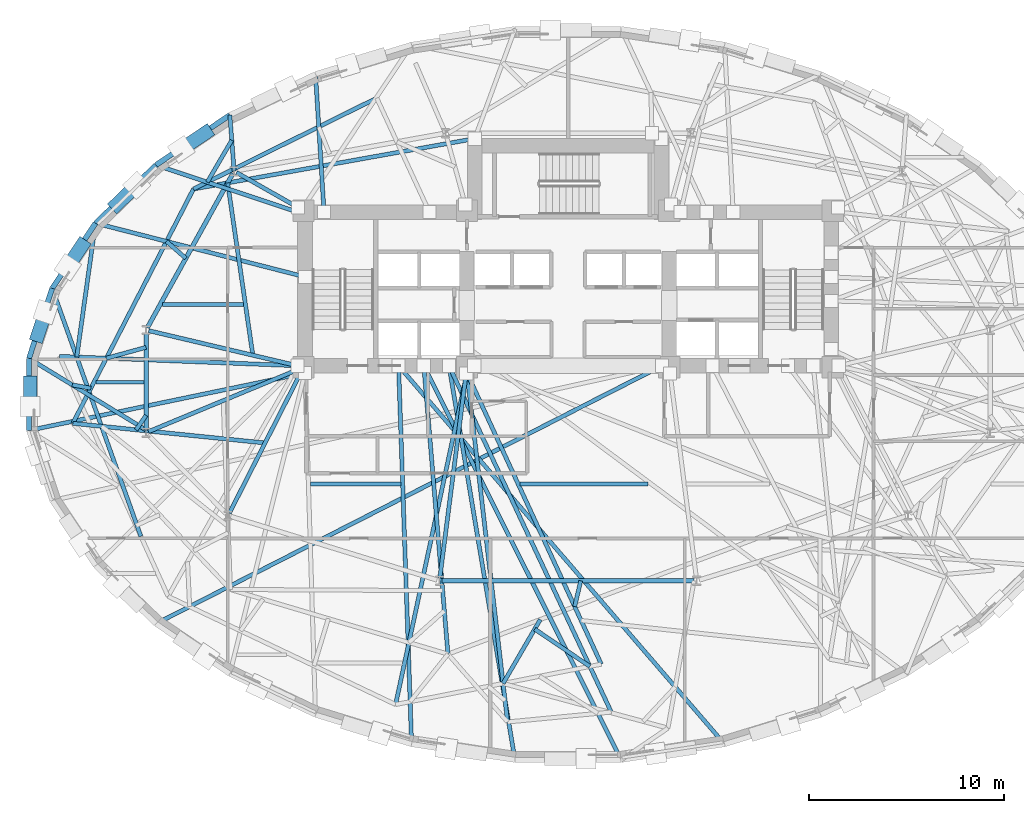
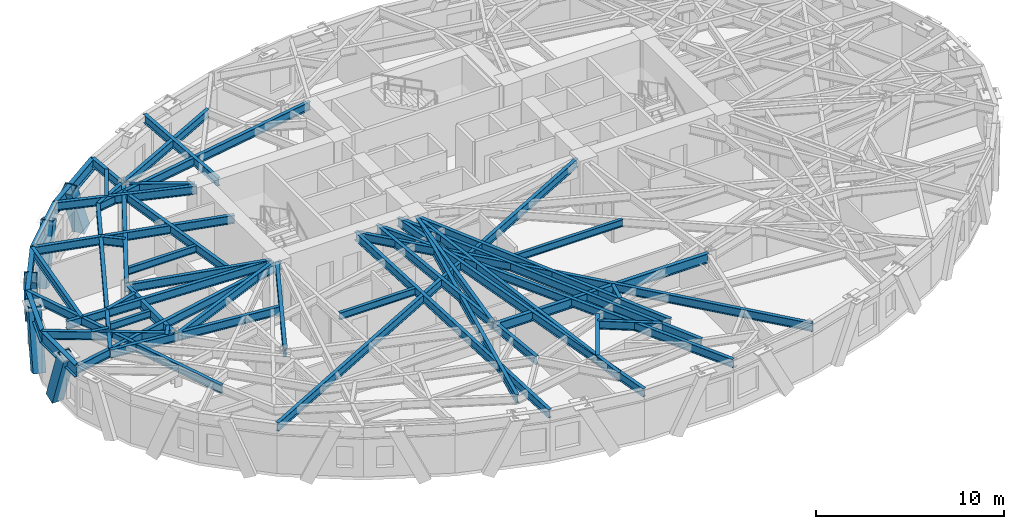
# One storey, part 2 of 14: 49 beams, 5 members.
"""IFC4 building model written with IfcOpenShell, lengths in metres."""

from ifc_helpers import new_model, si_unit, direction, frame, origin, origin_2d, place, context, subcontext, project, spatial, hollow_rectangle, i_section, extrude, material, material_profile, profile_set, type_object, element, save


model = new_model("IFC4")

# Units and contexts
model_context = context("Model", 3, precision=1e-05, world=origin(), true_north=direction((0.0, 1.0)))
body_context = subcontext(model_context, "Body", "Model", "MODEL_VIEW")
ifc_project = project(units=[si_unit("LENGTHUNIT", "METRE"), si_unit("AREAUNIT", "SQUARE_METRE"), si_unit("VOLUMEUNIT", "CUBIC_METRE"), si_unit("PLANEANGLEUNIT", "RADIAN"), si_unit("MASSUNIT", "GRAM", prefix="KILO")], contexts=[model_context])

# Site, building, storey
site_placement = place(None, origin())
site = spatial("IfcSite", under=ifc_project, at=site_placement, CompositionType="ELEMENT")
building_placement = place(site_placement, origin())
building = spatial("IfcBuilding", under=site, at=building_placement, Name="Keldmark Tower", CompositionType="ELEMENT")
storey_placement = place(building_placement, frame((0.0, 0.0, 107.10009765625)))
storey = spatial("IfcBuildingStorey", under=building, at=storey_placement, Name="L28", CompositionType="ELEMENT", Elevation=107.10009765625)

# Beams
ifc_material_1 = material(Name="Steel ASTM A992 Grade 50", Category="steel")
ifc_material_profile_1 = material_profile(ifc_material_1, i_section(OverallWidth=0.19091796875, OverallDepth=0.45703125, WebThickness=0.009033203125, FlangeThickness=0.014404296875, at=origin_2d()), Name="W18X50")
ifc_profile_set_1 = profile_set([ifc_material_profile_1], Name="Steel ASTM A992 Grade 50")
beam_type_1 = type_object("IfcBeamType", Name="Composite Floor Joist W18X50", PredefinedType="JOIST", material=ifc_profile_set_1)
beam_1_placement = place(storey_placement, frame((-13.253662109375, -4.60009765625, 3.081298828125), z_axis=(1.0, 0.0, 0.0), x_axis=(0.0, 1.0, 0.0)))
element("IfcBeam", 1, at=beam_1_placement, inside=storey, type_object=beam_type_1, Name="L28 Composite Floor Joist J04", PredefinedType="JOIST", context=body_context, shape_type="SweptSolid", body=[
    extrude(i_section(OverallWidth=0.19091796875, OverallDepth=0.45703125, WebThickness=0.009033203125, FlangeThickness=0.014404296875, at=origin_2d()), origin(), (0.0, 0.0, 1.0), 4.652099609375),
])
beam_2_placement = place(storey_placement, frame((-2.4638671875, -4.60009765625, 3.081298828125), z_axis=(1.0, 0.0, 0.0), x_axis=(0.0, 1.0, 0.0)))
element("IfcBeam", 2, at=beam_2_placement, inside=storey, type_object=beam_type_1, Name="L28 Composite Floor Joist J05", PredefinedType="JOIST", context=body_context, shape_type="SweptSolid", body=[
    extrude(i_section(OverallWidth=0.19091796875, OverallDepth=0.45703125, WebThickness=0.009033203125, FlangeThickness=0.014404296875, at=origin_2d()), origin(), (0.0, 0.0, 1.0), 6.5712890625),
])
beam_3_placement = place(storey_placement, frame((-24.26806640625, 0.6201171875, 3.081298828125), z_axis=(1.0, 0.0, 0.0), x_axis=(0.0, 1.0, 0.0)))
element("IfcBeam", 3, at=beam_3_placement, inside=storey, type_object=beam_type_1, Name="L28 Composite Floor Joist J08", PredefinedType="JOIST", context=body_context, shape_type="SweptSolid", body=[
    extrude(i_section(OverallWidth=0.19091796875, OverallDepth=0.45703125, WebThickness=0.009033203125, FlangeThickness=0.014404296875, at=origin_2d()), origin(), (0.0, 0.0, 1.0), 2.465576171875),
])
beam_4_placement = place(storey_placement, frame((-20.84912109375, 4.6201171875, 3.081298828125), z_axis=(1.0, 0.0, 0.0), x_axis=(0.0, 1.0, 0.0)))
element("IfcBeam", 4, at=beam_4_placement, inside=storey, type_object=beam_type_1, Name="L28 Composite Floor Joist J09", PredefinedType="JOIST", context=body_context, shape_type="SweptSolid", body=[
    extrude(i_section(OverallWidth=0.19091796875, OverallDepth=0.45703125, WebThickness=0.009033203125, FlangeThickness=0.014404296875, at=origin_2d()), origin(), (0.0, 0.0, 1.0), 4.1650390625),
])

# Members
ifc_material_2 = material(Name="Steel ASTM A572 Grade 50", Category="steel")
ifc_material_profile_2 = material_profile(ifc_material_2, hollow_rectangle(XDim=0.699951171875, YDim=0.699951171875, WallThickness=0.044921875, at=origin_2d()), Name="BOX700X700X45")
ifc_profile_set_2 = profile_set([ifc_material_profile_2], Name="Steel ASTM A572 Grade 50")
member_type = type_object("IfcMemberType", Name="Diagrid Zone 2 Brace BOX700X700X45", PredefinedType="BRACE", material=ifc_profile_set_2)
member_1_placement = place(storey_placement, frame((-18.618408203125, 13.459228515625, -0.27001953125), z_axis=(-0.33479314782, -0.226959811273, 0.914550595779), x_axis=(0.56112680855, -0.827729850088, 0.0)))
element("IfcMember", 5, at=member_1_placement, inside=storey, type_object=member_type, Name="L28 Perimeter Diagrid Brace 06B", PredefinedType="BRACE", context=body_context, shape_type="SweptSolid", body=[
    extrude(hollow_rectangle(XDim=0.699951171875, YDim=0.699951171875, WallThickness=0.044921875, at=origin_2d()), origin(), (0.0, 0.0, 1.0), 3.783203125),
])
member_2_placement = place(storey_placement, frame((-23.212158203125, 9.759765625, -0.27001953125), z_axis=(0.276209919312, 0.265651635468, 0.923654312526), x_axis=(-0.693197078417, 0.720748090857, 0.0)))
element("IfcMember", 6, at=member_2_placement, inside=storey, type_object=member_type, Name="L28 Perimeter Diagrid Brace 07A", PredefinedType="BRACE", context=body_context, shape_type="SweptSolid", body=[
    extrude(hollow_rectangle(XDim=0.699951171875, YDim=0.699951171875, WallThickness=0.044921875, at=origin_2d()), origin(), (0.0, 0.0, 1.0), 3.745849609375),
])
member_3_placement = place(storey_placement, frame((-24.9833984375, 7.657958984375, -0.27001953125), z_axis=(-0.200278085254, -0.300746099768, 0.932437918599), x_axis=(0.832330325661, -0.554279919342, 0.0)))
element("IfcMember", 7, at=member_3_placement, inside=storey, type_object=member_type, Name="L28 Perimeter Diagrid Brace 07B", PredefinedType="BRACE", context=body_context, shape_type="SweptSolid", body=[
    extrude(hollow_rectangle(XDim=0.699951171875, YDim=0.699951171875, WallThickness=0.044921875, at=origin_2d()), origin(), (0.0, 0.0, 1.0), 3.710693359375),
])
member_4_placement = place(storey_placement, frame((-27.260498046875, 3.0341796875, -0.27001953125), z_axis=(0.10788504384, 0.326107064334, 0.939156536424), x_axis=(-0.94939471163, 0.314085468509, 0.0)))
element("IfcMember", 8, at=member_4_placement, inside=storey, type_object=member_type, Name="L28 Perimeter Diagrid Brace 08A", PredefinedType="BRACE", context=body_context, shape_type="SweptSolid", body=[
    extrude(hollow_rectangle(XDim=0.699951171875, YDim=0.699951171875, WallThickness=0.044921875, at=origin_2d()), origin(), (0.0, 0.0, 1.0), 3.68408203125),
])
member_5_placement = place(storey_placement, frame((-27.656005859375, 0.61083984375, -0.27001953125), z_axis=(0.0, -0.335839528807, 0.941919216754), x_axis=(1.0, 0.0, 0.0)))
element("IfcMember", 9, at=member_5_placement, inside=storey, type_object=member_type, Name="L28 Perimeter Diagrid Brace 08B", PredefinedType="BRACE", context=body_context, shape_type="SweptSolid", body=[
    extrude(hollow_rectangle(XDim=0.699951171875, YDim=0.699951171875, WallThickness=0.044921875, at=origin_2d()), origin(), (0.0, 0.0, 1.0), 3.67333984375),
])

# Beams
ifc_material_3 = material(Name="Steel ASTM A992 Grade 50", Category="steel")
ifc_material_profile_3 = material_profile(ifc_material_3, i_section(OverallWidth=0.22900390625, OverallDepth=0.612060546875, WebThickness=0.011962890625, FlangeThickness=0.01953125, at=origin_2d()), Name="W24X84")
ifc_profile_set_3 = profile_set([ifc_material_profile_3], Name="Steel ASTM A992 Grade 50")
beam_type_2 = type_object("IfcBeamType", Name="Primary Floor Girder W24X84", PredefinedType="BEAM", material=ifc_profile_set_3)
beam_5_placement = place(storey_placement, frame((-17.235107421875, 11.35595703125, 3.00390625), z_axis=(-0.484951836703, -0.874540860154, 0.0), x_axis=(0.874540860154, -0.484951836703, 0.0)))
element("IfcBeam", 10, at=beam_5_placement, inside=storey, type_object=beam_type_2, Name="L28 Floor Ring Girder FG-R05", PredefinedType="BEAM", context=body_context, shape_type="SweptSolid", body=[
    extrude(i_section(OverallWidth=0.22900390625, OverallDepth=0.612060546875, WebThickness=0.011962890625, FlangeThickness=0.01953125, at=origin_2d()), origin(), (0.0, 0.0, 1.0), 9.060302734375),
])
beam_6_placement = place(storey_placement, frame((-21.697021484375, 3.169921875, 3.00390625), z_axis=(0.0, -1.0, 0.0), x_axis=(1.0, 0.0, 0.0)))
element("IfcBeam", 11, at=beam_6_placement, inside=storey, type_object=beam_type_2, Name="L28 Floor Ring Girder FG-R06", PredefinedType="BEAM", context=body_context, shape_type="SweptSolid", body=[
    extrude(i_section(OverallWidth=0.22900390625, OverallDepth=0.612060546875, WebThickness=0.011962890625, FlangeThickness=0.01953125, at=origin_2d()), origin(), (0.0, 0.0, 1.0), 4.995849609375),
])
beam_7_placement = place(storey_placement, frame((-6.472900390625, -9.579345703125, 3.00390625), z_axis=(1.0, 0.0, 0.0), x_axis=(0.0, 1.0, 0.0)))
element("IfcBeam", 12, at=beam_7_placement, inside=storey, type_object=beam_type_2, Name="L28 Floor Ring Girder FG-R09", PredefinedType="BEAM", context=body_context, shape_type="SweptSolid", body=[
    extrude(i_section(OverallWidth=0.22900390625, OverallDepth=0.612060546875, WebThickness=0.011962890625, FlangeThickness=0.01953125, at=origin_2d()), origin(), (0.0, 0.0, 1.0), 12.94580078125),
])
ifc_material_4 = material(Name="Steel ASTM A992 Grade 50", Category="steel")
ifc_material_profile_4 = material_profile(ifc_material_4, i_section(OverallWidth=0.2099609375, OverallDepth=0.537109375, WebThickness=0.010986328125, FlangeThickness=0.017333984375, at=origin_2d()), Name="W21X68")
ifc_profile_set_4 = profile_set([ifc_material_profile_4], Name="Steel ASTM A992 Grade 50")
beam_type_3 = type_object("IfcBeamType", Name="Radial Tie Girder W21X68", PredefinedType="BEAM", material=ifc_profile_set_4)
beam_8_placement = place(storey_placement, frame((-17.04541015625, 11.4091796875, 3.04150390625), z_axis=(0.86928447329, -0.494312152892, 0.0), x_axis=(0.494312152892, 0.86928447329, 0.0)))
element("IfcBeam", 13, at=beam_8_placement, inside=storey, type_object=beam_type_3, Name="L28 Floor Radial Girder FG-C05", PredefinedType="BEAM", context=body_context, shape_type="SweptSolid", body=[
    extrude(i_section(OverallWidth=0.2099609375, OverallDepth=0.537109375, WebThickness=0.010986328125, FlangeThickness=0.017333984375, at=origin_2d()), origin(), (0.0, 0.0, 1.0), 3.6435546875),
])
beam_9_placement = place(storey_placement, frame((-21.560546875, 3.27783203125, 3.04150390625), z_axis=(0.973283778272, -0.229605502879, 0.0), x_axis=(0.229605502879, 0.973283778272, 0.0)))
element("IfcBeam", 14, at=beam_9_placement, inside=storey, type_object=beam_type_3, Name="L28 Floor Radial Girder FG-C06", PredefinedType="BEAM", context=body_context, shape_type="SweptSolid", body=[
    extrude(i_section(OverallWidth=0.2099609375, OverallDepth=0.537109375, WebThickness=0.010986328125, FlangeThickness=0.017333984375, at=origin_2d()), origin(), (0.0, 0.0, 1.0), 7.85888671875),
])
beam_10_placement = place(storey_placement, frame((-21.567626953125, -1.912109375, 3.04150390625), z_axis=(0.923397393633, 0.383845350932, 0.0), x_axis=(-0.383845350932, 0.923397393633, 0.0)))
element("IfcBeam", 15, at=beam_10_placement, inside=storey, type_object=beam_type_3, Name="L28 Floor Radial Girder FG-C07", PredefinedType="BEAM", context=body_context, shape_type="SweptSolid", body=[
    extrude(i_section(OverallWidth=0.2099609375, OverallDepth=0.537109375, WebThickness=0.010986328125, FlangeThickness=0.017333984375, at=origin_2d()), origin(), (0.0, 0.0, 1.0), 8.30859375),
])
beam_11_placement = place(storey_placement, frame((-17.413818359375, -6.104736328125, 3.04150390625), z_axis=(0.453028637759, 0.891495963743, 0.0), x_axis=(-0.891495963743, 0.453028637759, 0.0)))
element("IfcBeam", 16, at=beam_11_placement, inside=storey, type_object=beam_type_3, Name="L28 Floor Radial Girder FG-C08", PredefinedType="BEAM", context=body_context, shape_type="SweptSolid", body=[
    extrude(i_section(OverallWidth=0.2099609375, OverallDepth=0.537109375, WebThickness=0.010986328125, FlangeThickness=0.017333984375, at=origin_2d()), origin(), (0.0, 0.0, 1.0), 8.09814453125),
])
beam_12_placement = place(storey_placement, frame((-6.594970703125, -9.4404296875, 3.04150390625), z_axis=(0.127642040045, 0.991820301069, 0.0), x_axis=(-0.991820301069, 0.127642040045, 0.0)))
element("IfcBeam", 17, at=beam_12_placement, inside=storey, type_object=beam_type_3, Name="L28 Floor Radial Girder FG-C09", PredefinedType="BEAM", context=body_context, shape_type="SweptSolid", body=[
    extrude(i_section(OverallWidth=0.2099609375, OverallDepth=0.537109375, WebThickness=0.010986328125, FlangeThickness=0.017333984375, at=origin_2d()), origin(), (0.0, 0.0, 1.0), 10.609619140625),
])
beam_13_placement = place(storey_placement, frame((-16.206298828125, 2.014892578125, 3.04150390625), z_axis=(-0.144668966659, 0.989480111011, 0.0), x_axis=(-0.989480111011, -0.144668966659, 0.0)))
element("IfcBeam", 18, at=beam_13_placement, inside=storey, type_object=beam_type_3, Name="L28 Framing Pin Header PH-003", PredefinedType="BEAM", context=body_context, shape_type="SweptSolid", body=[
    extrude(i_section(OverallWidth=0.2099609375, OverallDepth=0.537109375, WebThickness=0.010986328125, FlangeThickness=0.017333984375, at=origin_2d()), origin(), (0.0, 0.0, 1.0), 8.954345703125),
])
beam_14_placement = place(storey_placement, frame((-4.800048828125, 13.14990234375, 3.04150390625), z_axis=(-0.984336944595, -0.176297417749, 0.0), x_axis=(0.176297417749, -0.984336944595, 0.0)))
element("IfcBeam", 19, at=beam_14_placement, inside=storey, type_object=beam_type_3, Name="L28 Sub-Ring Step Girder STP1-M06", PredefinedType="BEAM", context=body_context, shape_type="SweptSolid", body=[
    extrude(i_section(OverallWidth=0.2099609375, OverallDepth=0.537109375, WebThickness=0.010986328125, FlangeThickness=0.017333984375, at=origin_2d()), origin(), (0.0, 0.0, 1.0), 14.688720703125),
])
beam_15_placement = place(storey_placement, frame((-21.697021484375, -1.076416015625, 3.04150390625), z_axis=(-0.566712846815, -0.823915377484, 0.0), x_axis=(0.823915377484, -0.566712846815, 0.0)))
element("IfcBeam", 20, at=beam_15_placement, inside=storey, type_object=beam_type_3, Name="L28 Framing Pin Header PH-004", PredefinedType="BEAM", context=body_context, shape_type="SweptSolid", body=[
    extrude(i_section(OverallWidth=0.2099609375, OverallDepth=0.537109375, WebThickness=0.010986328125, FlangeThickness=0.017333984375, at=origin_2d()), origin(), (0.0, 0.0, 1.0), 0.90087890625),
])
beam_16_placement = place(storey_placement, frame((-15.57958984375, -2.4951171875, 3.04150390625), z_axis=(-0.994834649081, 0.101508723705, 0.0), x_axis=(-0.101508723705, -0.994834649081, 0.0)))
element("IfcBeam", 21, at=beam_16_placement, inside=storey, type_object=beam_type_3, Name="L28 Sub-Ring Step Girder STP1-M07", PredefinedType="BEAM", context=body_context, shape_type="SweptSolid", body=[
    extrude(i_section(OverallWidth=0.2099609375, OverallDepth=0.537109375, WebThickness=0.010986328125, FlangeThickness=0.017333984375, at=origin_2d()), origin(), (0.0, 0.0, 1.0), 9.93310546875),
])
beam_17_placement = place(storey_placement, frame((-7.41796875, 1.47509765625, 3.04150390625), z_axis=(0.083564279251, -0.996502388975, 0.0), x_axis=(0.996502388975, 0.083564279251, 0.0)))
element("IfcBeam", 22, at=beam_17_placement, inside=storey, type_object=beam_type_3, Name="L28 Sub-Ring Step Girder STP1-M09", PredefinedType="BEAM", context=body_context, shape_type="SweptSolid", body=[
    extrude(i_section(OverallWidth=0.2099609375, OverallDepth=0.537109375, WebThickness=0.010986328125, FlangeThickness=0.017333984375, at=origin_2d()), origin(), (0.0, 0.0, 1.0), 14.876708984375),
])
beam_18_placement = place(storey_placement, frame((-9.835693359375, 15.235595703125, 3.04150390625), z_axis=(-0.895801561562, -0.444454229705, 0.0), x_axis=(0.444454229705, -0.895801561562, 0.0)))
element("IfcBeam", 23, at=beam_18_placement, inside=storey, type_object=beam_type_3, Name="L28 Perimeter Collector Ring Beam CRG1-M05", PredefinedType="BEAM", context=body_context, shape_type="SweptSolid", body=[
    extrude(i_section(OverallWidth=0.2099609375, OverallDepth=0.537109375, WebThickness=0.010986328125, FlangeThickness=0.017333984375, at=origin_2d()), origin(), (0.0, 0.0, 1.0), 10.519287109375),
])
beam_19_placement = place(storey_placement, frame((-19.2587890625, 10.560302734375, 3.04150390625), z_axis=(-0.457755076319, -0.889078337439, 0.0), x_axis=(0.889078337439, -0.457755076319, 0.0)))
element("IfcBeam", 24, at=beam_19_placement, inside=storey, type_object=beam_type_3, Name="L28 Perimeter Collector Ring Beam CRG1-M06", PredefinedType="BEAM", context=body_context, shape_type="SweptSolid", body=[
    extrude(i_section(OverallWidth=0.2099609375, OverallDepth=0.537109375, WebThickness=0.010986328125, FlangeThickness=0.017333984375, at=origin_2d()), origin(), (0.0, 0.0, 1.0), 13.550048828125),
])
beam_20_placement = place(storey_placement, frame((-21.697021484375, 2.42041015625, 3.04150390625), z_axis=(-0.96450500901, -0.264064551946, 0.0), x_axis=(0.264064551946, -0.96450500901, 0.0)))
element("IfcBeam", 25, at=beam_20_placement, inside=storey, type_object=beam_type_3, Name="L28 Framing Pin Header PH-010", PredefinedType="BEAM", context=body_context, shape_type="SweptSolid", body=[
    extrude(i_section(OverallWidth=0.2099609375, OverallDepth=0.537109375, WebThickness=0.010986328125, FlangeThickness=0.017333984375, at=origin_2d()), origin(), (0.0, 0.0, 1.0), 2.115478515625),
])
beam_21_placement = place(storey_placement, frame((-13.89990234375, 1.47509765625, 3.04150390625), z_axis=(-0.999228201232, 0.039281062405, 0.0), x_axis=(-0.039281062405, -0.999228201232, 0.0)))
element("IfcBeam", 26, at=beam_21_placement, inside=storey, type_object=beam_type_3, Name="L28 Sub-Ring Step Girder STP2-M07", PredefinedType="BEAM", context=body_context, shape_type="SweptSolid", body=[
    extrude(i_section(OverallWidth=0.2099609375, OverallDepth=0.537109375, WebThickness=0.010986328125, FlangeThickness=0.017333984375, at=origin_2d()), origin(), (0.0, 0.0, 1.0), 12.2626953125),
])
beam_22_placement = place(storey_placement, frame((-5.199951171875, 1.10009765625, 3.04150390625), z_axis=(-0.210462581744, -0.977601913708, 0.0), x_axis=(0.977601913708, -0.210462581744, 0.0)))
element("IfcBeam", 27, at=beam_22_placement, inside=storey, type_object=beam_type_3, Name="L28 Sub-Ring Step Girder STP2-M09", PredefinedType="BEAM", context=body_context, shape_type="SweptSolid", body=[
    extrude(i_section(OverallWidth=0.2099609375, OverallDepth=0.537109375, WebThickness=0.010986328125, FlangeThickness=0.017333984375, at=origin_2d()), origin(), (0.0, 0.0, 1.0), 17.430419921875),
])
beam_23_placement = place(storey_placement, frame((0.647216796875, -9.579345703125, 3.04150390625), z_axis=(-0.225762338717, -0.974182409211, 0.0), x_axis=(0.974182409211, -0.225762338717, 0.0)))
element("IfcBeam", 28, at=beam_23_placement, inside=storey, type_object=beam_type_3, Name="L28 Framing Pin Header PH-013", PredefinedType="BEAM", context=body_context, shape_type="SweptSolid", body=[
    extrude(i_section(OverallWidth=0.2099609375, OverallDepth=0.537109375, WebThickness=0.010986328125, FlangeThickness=0.017333984375, at=origin_2d()), origin(), (0.0, 0.0, 1.0), 1.362548828125),
])
beam_24_placement = place(storey_placement, frame((-5.199951171875, 1.10009765625, 3.04150390625), z_axis=(0.418938879898, -0.908014435408, 0.0), x_axis=(0.908014435408, 0.418938879898, 0.0)))
element("IfcBeam", 29, at=beam_24_placement, inside=storey, type_object=beam_type_3, Name="L28 Sub-Ring Step Girder STP2-M10", PredefinedType="BEAM", context=body_context, shape_type="SweptSolid", body=[
    extrude(i_section(OverallWidth=0.2099609375, OverallDepth=0.537109375, WebThickness=0.010986328125, FlangeThickness=0.017333984375, at=origin_2d()), origin(), (0.0, 0.0, 1.0), 16.482177734375),
])
beam_25_placement = place(storey_placement, frame((-12.54638671875, 9.375, 3.04150390625), z_axis=(-0.061700276129, 0.998094722922, 0.0), x_axis=(-0.998094722922, -0.061700276129, 0.0)))
element("IfcBeam", 30, at=beam_25_placement, inside=storey, type_object=beam_type_3, Name="L28 Perimeter Radial Tie Girder RT-11", PredefinedType="BEAM", context=body_context, shape_type="SweptSolid", body=[
    extrude(i_section(OverallWidth=0.2099609375, OverallDepth=0.537109375, WebThickness=0.010986328125, FlangeThickness=0.017333984375, at=origin_2d()), origin(), (0.0, 0.0, 1.0), 7.1064453125),
])
beam_26_placement = place(storey_placement, frame((-17.1669921875, 11.478271484375, 3.04150390625), z_axis=(-0.077006087343, 0.997030622655, 0.0), x_axis=(-0.997030622655, -0.077006087343, 0.0)))
element("IfcBeam", 31, at=beam_26_placement, inside=storey, type_object=beam_type_3, Name="L28 Perimeter Column Bracket RT-12", PredefinedType="BEAM", context=body_context, shape_type="SweptSolid", body=[
    extrude(i_section(OverallWidth=0.2099609375, OverallDepth=0.537109375, WebThickness=0.010986328125, FlangeThickness=0.017333984375, at=origin_2d()), origin(), (0.0, 0.0, 1.0), 2.89453125),
])
beam_27_placement = place(storey_placement, frame((-17.28955078125, 13.065673828125, 3.04150390625), z_axis=(-0.504449485271, -0.863441206342, 0.0), x_axis=(0.863441206342, -0.504449485271, 0.0)))
element("IfcBeam", 32, at=beam_27_placement, inside=storey, type_object=beam_type_3, Name="L28 Framing Pin Header PH-022", PredefinedType="BEAM", context=body_context, shape_type="SweptSolid", body=[
    extrude(i_section(OverallWidth=0.2099609375, OverallDepth=0.537109375, WebThickness=0.010986328125, FlangeThickness=0.017333984375, at=origin_2d()), origin(), (0.0, 0.0, 1.0), 2.492431640625),
])
beam_28_placement = place(storey_placement, frame((-13.89990234375, 9.375, 3.04150390625), z_axis=(-0.94932040912, 0.314309975705, 0.0), x_axis=(-0.314309975705, -0.94932040912, 0.0)))
element("IfcBeam", 33, at=beam_28_placement, inside=storey, type_object=beam_type_3, Name="L28 Perimeter Radial Tie Girder RT-13", PredefinedType="BEAM", context=body_context, shape_type="SweptSolid", body=[
    extrude(i_section(OverallWidth=0.2099609375, OverallDepth=0.537109375, WebThickness=0.010986328125, FlangeThickness=0.017333984375, at=origin_2d()), origin(), (0.0, 0.0, 1.0), 7.678955078125),
])
beam_29_placement = place(storey_placement, frame((-19.651611328125, 6.997802734375, 3.04150390625), z_axis=(-0.752416343637, 0.658687821223, 0.0), x_axis=(-0.658687821223, -0.752416343637, 0.0)))
element("IfcBeam", 34, at=beam_29_placement, inside=storey, type_object=beam_type_3, Name="L28 Framing Pin Header PH-023", PredefinedType="BEAM", context=body_context, shape_type="SweptSolid", body=[
    extrude(i_section(OverallWidth=0.2099609375, OverallDepth=0.537109375, WebThickness=0.010986328125, FlangeThickness=0.017333984375, at=origin_2d()), origin(), (0.0, 0.0, 1.0), 1.320556640625),
])
beam_30_placement = place(storey_placement, frame((-13.52490234375, 6.04296875, 3.04150390625), z_axis=(-0.968696781598, 0.248246944234, 0.0), x_axis=(-0.248246944234, -0.968696781598, 0.0)))
element("IfcBeam", 35, at=beam_30_placement, inside=storey, type_object=beam_type_3, Name="L28 Perimeter Radial Tie Girder RT-14", PredefinedType="BEAM", context=body_context, shape_type="SweptSolid", body=[
    extrude(i_section(OverallWidth=0.2099609375, OverallDepth=0.537109375, WebThickness=0.010986328125, FlangeThickness=0.017333984375, at=origin_2d()), origin(), (0.0, 0.0, 1.0), 11.115966796875),
])
beam_31_placement = place(storey_placement, frame((-24.29296875, 8.802490234375, 3.04150390625), z_axis=(-0.13900071886, -0.990292280166, 0.0), x_axis=(0.990292280166, -0.13900071886, 0.0)))
element("IfcBeam", 36, at=beam_31_placement, inside=storey, type_object=beam_type_3, Name="L28 Framing Pin Header PH-024", PredefinedType="BEAM", context=body_context, shape_type="SweptSolid", body=[
    extrude(i_section(OverallWidth=0.2099609375, OverallDepth=0.537109375, WebThickness=0.010986328125, FlangeThickness=0.017333984375, at=origin_2d()), origin(), (0.0, 0.0, 1.0), 6.9482421875),
])
beam_32_placement = place(storey_placement, frame((-21.960693359375, -7.294921875, 3.04150390625), z_axis=(-0.336911994657, 0.941536142618, 0.0), x_axis=(-0.941536142618, -0.336911994657, 0.0)))
element("IfcBeam", 37, at=beam_32_placement, inside=storey, type_object=beam_type_3, Name="L28 Perimeter Radial Tie Girder RT-15", PredefinedType="BEAM", context=body_context, shape_type="SweptSolid", body=[
    extrude(i_section(OverallWidth=0.2099609375, OverallDepth=0.537109375, WebThickness=0.010986328125, FlangeThickness=0.017333984375, at=origin_2d()), origin(), (0.0, 0.0, 1.0), 13.540771484375),
])
beam_33_placement = place(storey_placement, frame((-24.531005859375, 0.3203125, 3.04150390625), z_axis=(-0.984651816895, 0.174530225132, 0.0), x_axis=(-0.174530225132, -0.984651816895, 0.0)))
element("IfcBeam", 38, at=beam_33_placement, inside=storey, type_object=beam_type_3, Name="L28 Framing Pin Header PH-025", PredefinedType="BEAM", context=body_context, shape_type="SweptSolid", body=[
    extrude(i_section(OverallWidth=0.2099609375, OverallDepth=0.537109375, WebThickness=0.010986328125, FlangeThickness=0.017333984375, at=origin_2d()), origin(), (0.0, 0.0, 1.0), 0.97216796875),
])
beam_34_placement = place(storey_placement, frame((-21.697021484375, -1.825927734375, 3.04150390625), z_axis=(-0.853385353326, 0.521280575822, 0.0), x_axis=(-0.521280575822, -0.853385353326, 0.0)))
element("IfcBeam", 39, at=beam_34_placement, inside=storey, type_object=beam_type_3, Name="L28 Perimeter Radial Tie Girder RT-16", PredefinedType="BEAM", context=body_context, shape_type="SweptSolid", body=[
    extrude(i_section(OverallWidth=0.2099609375, OverallDepth=0.537109375, WebThickness=0.010986328125, FlangeThickness=0.017333984375, at=origin_2d()), origin(), (0.0, 0.0, 1.0), 7.052734375),
])
beam_35_placement = place(storey_placement, frame((-13.52490234375, 1.10009765625, 3.04150390625), z_axis=(-0.979059659864, -0.203573530763, 0.0), x_axis=(0.203573530763, -0.979059659864, 0.0)))
element("IfcBeam", 40, at=beam_35_placement, inside=storey, type_object=beam_type_3, Name="L28 Perimeter Radial Tie Girder RT-17", PredefinedType="BEAM", context=body_context, shape_type="SweptSolid", body=[
    extrude(i_section(OverallWidth=0.2099609375, OverallDepth=0.537109375, WebThickness=0.010986328125, FlangeThickness=0.017333984375, at=origin_2d()), origin(), (0.0, 0.0, 1.0), 14.494384765625),
])
beam_36_placement = place(storey_placement, frame((4.824951171875, 1.47509765625, 3.04150390625), z_axis=(-0.890888103103, -0.454222839309, 0.0), x_axis=(0.454222839309, -0.890888103103, 0.0)))
element("IfcBeam", 41, at=beam_36_placement, inside=storey, type_object=beam_type_3, Name="L28 Perimeter Radial Tie Girder RT-20", PredefinedType="BEAM", context=body_context, shape_type="SweptSolid", body=[
    extrude(i_section(OverallWidth=0.2099609375, OverallDepth=0.537109375, WebThickness=0.010986328125, FlangeThickness=0.017333984375, at=origin_2d()), origin(), (0.0, 0.0, 1.0), 29.20068359375),
])
beam_37_placement = place(storey_placement, frame((-8.71435546875, 1.47509765625, 3.04150390625), z_axis=(0.034352124829, -0.999409791587, 0.0), x_axis=(0.999409791587, 0.034352124829, 0.0)))
element("IfcBeam", 42, at=beam_37_placement, inside=storey, type_object=beam_type_3, Name="L28 Perimeter Radial Tie Girder RT-23", PredefinedType="BEAM", context=body_context, shape_type="SweptSolid", body=[
    extrude(i_section(OverallWidth=0.2099609375, OverallDepth=0.537109375, WebThickness=0.010986328125, FlangeThickness=0.017333984375, at=origin_2d()), origin(), (0.0, 0.0, 1.0), 19.466064453125),
])
beam_38_placement = place(storey_placement, frame((-1.429443359375, -11.5703125, 3.04150390625), z_axis=(-0.503244138967, -0.864144279964, 0.0), x_axis=(0.864144279964, -0.503244138967, 0.0)))
element("IfcBeam", 43, at=beam_38_placement, inside=storey, type_object=beam_type_3, Name="L28 Framing Pin Header PH-032", PredefinedType="BEAM", context=body_context, shape_type="SweptSolid", body=[
    extrude(i_section(OverallWidth=0.2099609375, OverallDepth=0.537109375, WebThickness=0.010986328125, FlangeThickness=0.017333984375, at=origin_2d()), origin(), (0.0, 0.0, 1.0), 3.802490234375),
])
beam_39_placement = place(storey_placement, frame((-5.199951171875, 1.10009765625, 3.04150390625), z_axis=(0.115592370927, -0.993296735011, 0.0), x_axis=(0.993296735011, 0.115592370927, 0.0)))
element("IfcBeam", 44, at=beam_39_placement, inside=storey, type_object=beam_type_3, Name="L28 Intermediate Radial Step Girder RT-24M", PredefinedType="BEAM", context=body_context, shape_type="SweptSolid", body=[
    extrude(i_section(OverallWidth=0.2099609375, OverallDepth=0.537109375, WebThickness=0.010986328125, FlangeThickness=0.017333984375, at=origin_2d()), origin(), (0.0, 0.0, 1.0), 18.058349609375),
])
beam_40_placement = place(storey_placement, frame((-6.121337890625, 1.47509765625, 3.04150390625), z_axis=(0.165079171882, -0.986280318678, 0.0), x_axis=(0.986280318678, 0.165079171882, 0.0)))
element("IfcBeam", 45, at=beam_40_placement, inside=storey, type_object=beam_type_3, Name="L28 Perimeter Radial Tie Girder RT-24", PredefinedType="BEAM", context=body_context, shape_type="SweptSolid", body=[
    extrude(i_section(OverallWidth=0.2099609375, OverallDepth=0.537109375, WebThickness=0.010986328125, FlangeThickness=0.017333984375, at=origin_2d()), origin(), (0.0, 0.0, 1.0), 20.54541015625),
])
beam_41_placement = place(storey_placement, frame((-1.716552734375, -12.06298828125, 3.04150390625), z_axis=(0.828256151033, -0.56034966608, 0.0), x_axis=(0.56034966608, 0.828256151033, 0.0)))
element("IfcBeam", 46, at=beam_41_placement, inside=storey, type_object=beam_type_3, Name="L28 Framing Pin Header PH-034", PredefinedType="BEAM", context=body_context, shape_type="SweptSolid", body=[
    extrude(i_section(OverallWidth=0.2099609375, OverallDepth=0.537109375, WebThickness=0.010986328125, FlangeThickness=0.017333984375, at=origin_2d()), origin(), (0.0, 0.0, 1.0), 3.4228515625),
])
beam_42_placement = place(storey_placement, frame((-6.121337890625, 1.47509765625, 3.04150390625), z_axis=(0.424176129322, -0.905579710083, 0.0), x_axis=(0.905579710083, 0.424176129322, 0.0)))
element("IfcBeam", 47, at=beam_42_placement, inside=storey, type_object=beam_type_3, Name="L28 Intermediate Radial Step Girder RT-25M", PredefinedType="BEAM", context=body_context, shape_type="SweptSolid", body=[
    extrude(i_section(OverallWidth=0.2099609375, OverallDepth=0.537109375, WebThickness=0.010986328125, FlangeThickness=0.017333984375, at=origin_2d()), origin(), (0.0, 0.0, 1.0), 19.658447265625),
])
beam_43_placement = place(storey_placement, frame((-7.41796875, 1.47509765625, 3.04150390625), z_axis=(0.447778009443, -0.894144761355, 0.0), x_axis=(0.894144761355, 0.447778009443, 0.0)))
element("IfcBeam", 48, at=beam_43_placement, inside=storey, type_object=beam_type_3, Name="L28 Perimeter Radial Tie Girder RT-25", PredefinedType="BEAM", context=body_context, shape_type="SweptSolid", body=[
    extrude(i_section(OverallWidth=0.2099609375, OverallDepth=0.537109375, WebThickness=0.010986328125, FlangeThickness=0.017333984375, at=origin_2d()), origin(), (0.0, 0.0, 1.0), 22.662353515625),
])
beam_44_placement = place(storey_placement, frame((-8.71435546875, 1.47509765625, 3.04150390625), z_axis=(0.652689631699, -0.757625398645, 0.0), x_axis=(0.757625398645, 0.652689631699, 0.0)))
element("IfcBeam", 49, at=beam_44_placement, inside=storey, type_object=beam_type_3, Name="L28 Perimeter Radial Tie Girder RT-26R", PredefinedType="BEAM", context=body_context, shape_type="SweptSolid", body=[
    extrude(i_section(OverallWidth=0.2099609375, OverallDepth=0.537109375, WebThickness=0.010986328125, FlangeThickness=0.017333984375, at=origin_2d()), origin(), (0.0, 0.0, 1.0), 25.678466796875),
])
ifc_material_5 = material(Name="Steel ASTM A992 Grade 50", Category="steel")
ifc_material_profile_5 = material_profile(ifc_material_5, i_section(OverallWidth=0.26806640625, OverallDepth=0.77001953125, WebThickness=0.015625, FlangeThickness=0.025390625, at=origin_2d()), Name="W30X132")
ifc_profile_set_5 = profile_set([ifc_material_profile_5], Name="Steel ASTM A992 Grade 50")
beam_type_4 = type_object("IfcBeamType", Name="Spandrel Ring Beam W30X132", PredefinedType="SPANDREL", material=ifc_profile_set_5)
beam_45_placement = place(storey_placement, frame((-17.389892578125, 14.3642578125, 2.9248046875), z_axis=(-0.827754551165, -0.56109036975, 0.0), x_axis=(0.56109036975, -0.827754551165, 0.0)))
element("IfcBeam", 50, at=beam_45_placement, inside=storey, type_object=beam_type_4, Name="L28 Perimeter Spandrel Ring Beam SRB-12", PredefinedType="SPANDREL", context=body_context, shape_type="SweptSolid", body=[
    extrude(i_section(OverallWidth=0.26806640625, OverallDepth=0.77001953125, WebThickness=0.015625, FlangeThickness=0.025390625, at=origin_2d()), origin(), (0.0, 0.0, 1.0), 4.590576171875),
])
beam_46_placement = place(storey_placement, frame((-21.189697265625, 11.78857421875, 2.9248046875), z_axis=(-0.720581378362, -0.693370375166, 0.0), x_axis=(0.693370375166, -0.720581378362, 0.0)))
element("IfcBeam", 51, at=beam_46_placement, inside=storey, type_object=beam_type_4, Name="L28 Perimeter Spandrel Ring Beam SRB-13", PredefinedType="SPANDREL", context=body_context, shape_type="SweptSolid", body=[
    extrude(i_section(OverallWidth=0.26806640625, OverallDepth=0.77001953125, WebThickness=0.015625, FlangeThickness=0.025390625, at=origin_2d()), origin(), (0.0, 0.0, 1.0), 4.306640625),
])
beam_47_placement = place(storey_placement, frame((-24.29296875, 8.802490234375, 2.9248046875), z_axis=(-0.554265966169, -0.832339617432, 0.0), x_axis=(0.832339617432, -0.554265966169, 0.0)))
element("IfcBeam", 52, at=beam_47_placement, inside=storey, type_object=beam_type_4, Name="L28 Perimeter Spandrel Ring Beam SRB-14", PredefinedType="SPANDREL", context=body_context, shape_type="SweptSolid", body=[
    extrude(i_section(OverallWidth=0.26806640625, OverallDepth=0.77001953125, WebThickness=0.015625, FlangeThickness=0.025390625, at=origin_2d()), origin(), (0.0, 0.0, 1.0), 4.02294921875),
])
beam_48_placement = place(storey_placement, frame((-26.522705078125, 5.4541015625, 2.9248046875), z_axis=(-0.314316911692, -0.94931811266, 0.0), x_axis=(0.94931811266, -0.314316911692, 0.0)))
element("IfcBeam", 53, at=beam_48_placement, inside=storey, type_object=beam_type_4, Name="L28 Perimeter Spandrel Ring Beam SRB-15", PredefinedType="SPANDREL", context=body_context, shape_type="SweptSolid", body=[
    extrude(i_section(OverallWidth=0.26806640625, OverallDepth=0.77001953125, WebThickness=0.015625, FlangeThickness=0.025390625, at=origin_2d()), origin(), (0.0, 0.0, 1.0), 3.7958984375),
])
beam_49_placement = place(storey_placement, frame((-27.7158203125, 1.8505859375, 2.9248046875), z_axis=(0.0, -1.0, 0.0), x_axis=(1.0, 0.0, 0.0)))
element("IfcBeam", 54, at=beam_49_placement, inside=storey, type_object=beam_type_4, Name="L28 Perimeter Spandrel Ring Beam SRB-16", PredefinedType="SPANDREL", context=body_context, shape_type="SweptSolid", body=[
    extrude(i_section(OverallWidth=0.26806640625, OverallDepth=0.77001953125, WebThickness=0.015625, FlangeThickness=0.025390625, at=origin_2d()), origin(), (0.0, 0.0, 1.0), 3.701171875),
])

save(model, "model.ifc")
